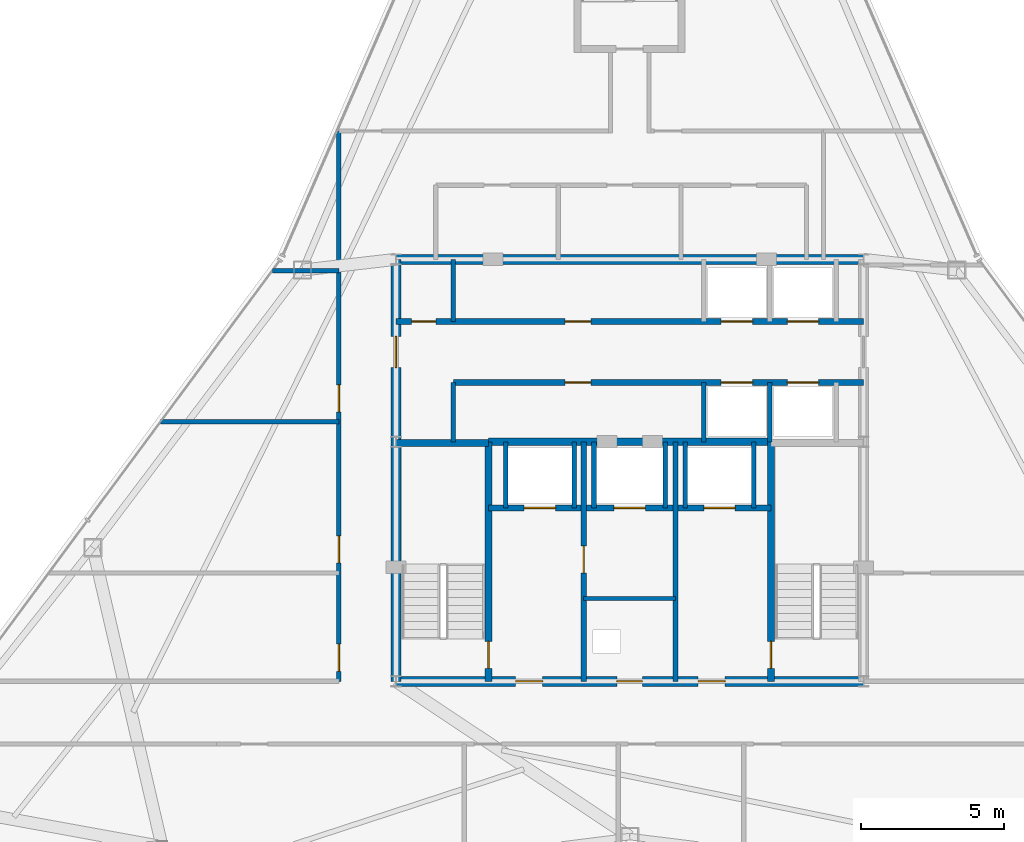
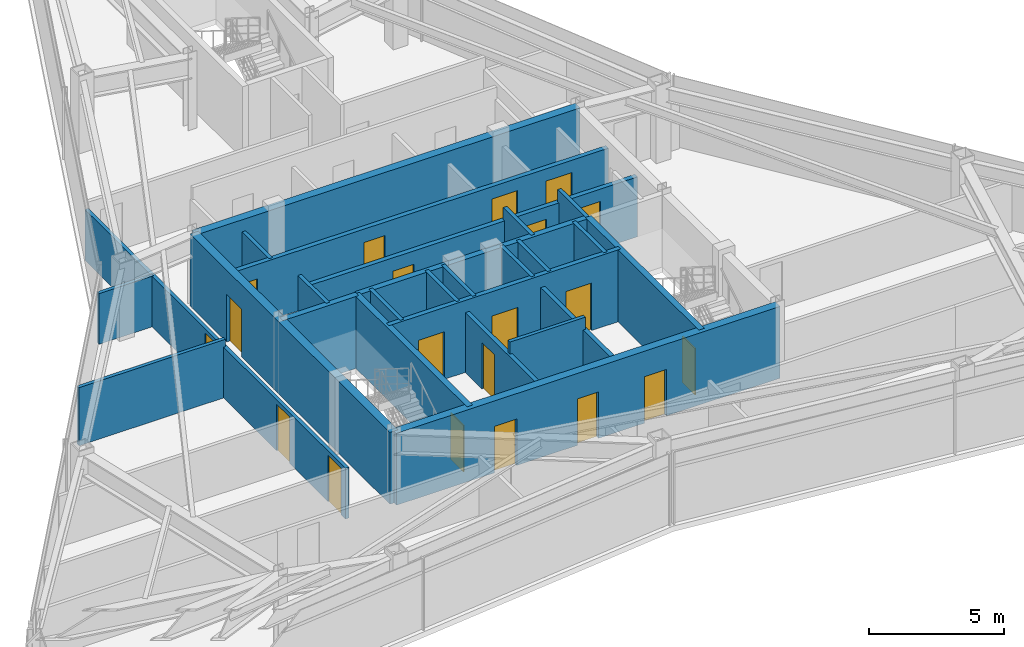
# One storey, part 9 of 11: 26 walls, 20 doors, 20 openings.
"""IFC4 building model written with IfcOpenShell, lengths in metres."""

from ifc_helpers import new_model, si_unit, direction, frame, frame_2d, origin, place, context, subcontext, project, spatial, rectangle, extrude, material, layer, layer_set, type_object, element, fill, save


model = new_model("IFC4")

# Units and contexts
model_context = context("Model", 3, precision=1e-05, world=origin(), true_north=direction((0.0, 1.0)))
body_context = subcontext(model_context, "Body", "Model", "MODEL_VIEW")
ifc_project = project(units=[si_unit("LENGTHUNIT", "METRE"), si_unit("AREAUNIT", "SQUARE_METRE"), si_unit("VOLUMEUNIT", "CUBIC_METRE"), si_unit("PLANEANGLEUNIT", "RADIAN"), si_unit("MASSUNIT", "GRAM", prefix="KILO")], contexts=[model_context])

# Site, building, storey
site_placement = place(None, origin())
site = spatial("IfcSite", under=ifc_project, at=site_placement, CompositionType="ELEMENT")
building_placement = place(site_placement, origin())
building = spatial("IfcBuilding", under=site, at=building_placement, Name="Varakhsha Concourse Tower", CompositionType="ELEMENT")
storey_placement = place(building_placement, frame((0.0, 0.0, 279.5)))
storey = spatial("IfcBuildingStorey", under=building, at=storey_placement, Name="L79", CompositionType="ELEMENT", Elevation=279.5)

# Wall, openings, doors
ifc_material_1 = material(Name="Concrete fc 65 MPa", Category="concrete")
ifc_layer_1 = layer(ifc_material_1, 0.35009765625, Name="WL-CORE-350")
ifc_layer_set_1 = layer_set([ifc_layer_1], Name="Concrete fc 65 MPa")
wall_type_1 = type_object("IfcWallType", Name="WL-CORE-350", PredefinedType="SHEAR", material=ifc_layer_set_1)
wall_1_placement = place(storey_placement, frame((31.800048828125, 16.39990234375, 0.0), z_axis=(0.0, 0.0, 1.0), x_axis=(1.0, 0.0, 0.0)))
wall_1 = element("IfcWall", 1, at=wall_1_placement, inside=storey, type_object=wall_type_1, Name="L79 Wall CWALL-S-L79", PredefinedType="SHEAR", context=body_context, shape_type="SweptSolid", body=[
    extrude(rectangle(XDim=16.39990234375, YDim=0.35009765625, at=frame_2d((8.199951171875, 0.0))), origin(), (0.0, 0.0, 1.0), 3.25),
])
opening_1_placement = place(wall_1_placement, frame((7.75, 0.0, 0.0)))
opening_1 = element("IfcOpeningElement", 2, at=opening_1_placement, cuts=wall_1, Name="Opening DF-06", PredefinedType="OPENING", context=body_context, shape_type="SweptSolid", body=[
    extrude(rectangle(XDim=0.89990234375, YDim=2.10009765625, at=frame_2d((0.449951171875, 1.050048828125))), frame((0.0, 0.18505859375, 0.0), z_axis=(0.0, -1.0, 0.0), x_axis=(1.0, 0.0, 0.0)), (0.0, 0.0, 1.0), 0.3701171875),
])
opening_2_placement = place(wall_1_placement, frame((4.199951171875, 0.0, 0.0)))
opening_2 = element("IfcOpeningElement", 3, at=opening_2_placement, cuts=wall_1, Name="Opening DF-05", PredefinedType="OPENING", context=body_context, shape_type="SweptSolid", body=[
    extrude(rectangle(XDim=0.949951171875, YDim=2.10009765625, at=frame_2d((0.47509765625, 1.050048828125))), frame((0.0, 0.18505859375, 0.0), z_axis=(0.0, -1.0, 0.0), x_axis=(1.0, 0.0, 0.0)), (0.0, 0.0, 1.0), 0.3701171875),
])
opening_3_placement = place(wall_1_placement, frame((10.60009765625, 0.0, 0.0)))
opening_3 = element("IfcOpeningElement", 4, at=opening_3_placement, cuts=wall_1, Name="Opening DF-05", PredefinedType="OPENING", context=body_context, shape_type="SweptSolid", body=[
    extrude(rectangle(XDim=0.949951171875, YDim=2.10009765625, at=frame_2d((0.47509765625, 1.050048828125))), frame((0.0, 0.18505859375, 0.0), z_axis=(0.0, -1.0, 0.0), x_axis=(1.0, 0.0, 0.0)), (0.0, 0.0, 1.0), 0.3701171875),
])
ifc_material_2 = material(Name="Hollow Galvanised Steel Fire Door Assembly", Category="steel")
door_type_1 = type_object("IfcDoorType", Name="DR-FD60-900", OperationType="NOTDEFINED", PredefinedType="DOOR", material=ifc_material_2)
door_1_placement = place(opening_1_placement, origin())
door_1 = element("IfcDoor", 5, at=door_1_placement, inside=storey, type_object=door_type_1, Name="L79 Electrical Riser Access Door", OperationType="SINGLE_SWING_LEFT", OverallHeight=2.10009765625, OverallWidth=0.89990234375, PredefinedType="DOOR", context=body_context, shape_type="SweptSolid", body=[
    extrude(rectangle(XDim=0.89990234375, YDim=2.10009765625, at=frame_2d((0.449951171875, 1.050048828125))), frame((0.0, 0.02490234375, 0.0), z_axis=(0.0, -1.0, 0.0), x_axis=(1.0, 0.0, 0.0)), (0.0, 0.0, 1.0), 0.050048828125),
])
fill(opening_1, door_1)
door_type_2 = type_object("IfcDoorType", Name="DR-FD60-950", OperationType="NOTDEFINED", PredefinedType="DOOR", material=ifc_material_2)
door_2_placement = place(opening_2_placement, origin())
door_2 = element("IfcDoor", 6, at=door_2_placement, inside=storey, type_object=door_type_2, Name="L79 Firefighting Lobby West Door", OperationType="SINGLE_SWING_RIGHT", OverallHeight=2.10009765625, OverallWidth=0.949951171875, PredefinedType="DOOR", context=body_context, shape_type="SweptSolid", body=[
    extrude(rectangle(XDim=0.949951171875, YDim=2.10009765625, at=frame_2d((0.47509765625, 1.050048828125))), frame((0.0, 0.02490234375, 0.0), z_axis=(0.0, -1.0, 0.0), x_axis=(1.0, 0.0, 0.0)), (0.0, 0.0, 1.0), 0.050048828125),
])
fill(opening_2, door_2)
door_3_placement = place(opening_3_placement, origin())
door_3 = element("IfcDoor", 7, at=door_3_placement, inside=storey, type_object=door_type_2, Name="L79 Firefighting Lobby East Door", OperationType="SINGLE_SWING_LEFT", OverallHeight=2.10009765625, OverallWidth=0.949951171875, PredefinedType="DOOR", context=body_context, shape_type="SweptSolid", body=[
    extrude(rectangle(XDim=0.949951171875, YDim=2.10009765625, at=frame_2d((0.47509765625, 1.050048828125))), frame((0.0, 0.02490234375, 0.0), z_axis=(0.0, -1.0, 0.0), x_axis=(1.0, 0.0, 0.0)), (0.0, 0.0, 1.0), 0.050048828125),
])
fill(opening_3, door_3)

# Wall
wall_2_placement = place(storey_placement, frame((31.800048828125, 31.199951171875, 0.0), z_axis=(0.0, 0.0, 1.0), x_axis=(1.0, 0.0, 0.0)))
element("IfcWall", 8, at=wall_2_placement, inside=storey, type_object=wall_type_1, Name="L79 Wall CWALL-N-L79", PredefinedType="SHEAR", context=body_context, shape_type="SweptSolid", body=[
    extrude(rectangle(XDim=16.39990234375, YDim=0.35009765625, at=frame_2d((8.199951171875, 0.0))), origin(), (0.0, 0.0, 1.0), 3.25),
])

# Wall, opening, door
wall_3_placement = place(storey_placement, frame((31.800048828125, 16.39990234375, 0.0), z_axis=(0.0, 0.0, 1.0), x_axis=(0.0, 1.0, 0.0)))
wall_3 = element("IfcWall", 9, at=wall_3_placement, inside=storey, type_object=wall_type_1, Name="L79 Wall CWALL-W-L79", PredefinedType="SHEAR", context=body_context, shape_type="SweptSolid", body=[
    extrude(rectangle(XDim=14.800048828125, YDim=0.35009765625, at=frame_2d((7.39990234375, 0.0))), origin(), (0.0, 0.0, 1.0), 3.25),
])
opening_4_placement = place(wall_3_placement, frame((11.0, 0.0, 0.0)))
opening_4 = element("IfcOpeningElement", 10, at=opening_4_placement, cuts=wall_3, Name="Opening DL-01", PredefinedType="OPENING", context=body_context, shape_type="SweptSolid", body=[
    extrude(rectangle(XDim=1.10009765625, YDim=2.14990234375, at=frame_2d((0.550048828125, 1.074951171875))), frame((0.0, 0.18505859375, 0.0), z_axis=(0.0, -1.0, 0.0), x_axis=(1.0, 0.0, 0.0)), (0.0, 0.0, 1.0), 0.3701171875),
])
ifc_material_3 = material(Name="Anodised Bronze Architectural Aluminium AA 6063-T6", Category="aluminium")
door_type_3 = type_object("IfcDoorType", Name="DR-LOB-1100", OperationType="NOTDEFINED", PredefinedType="DOOR", material=ifc_material_3)
door_4_placement = place(opening_4_placement, origin())
door_4 = element("IfcDoor", 11, at=door_4_placement, inside=storey, type_object=door_type_3, Name="L79 Lift Lobby West Concourse Door", OperationType="SINGLE_SWING_LEFT", OverallHeight=2.14990234375, OverallWidth=1.10009765625, PredefinedType="DOOR", context=body_context, shape_type="SweptSolid", body=[
    extrude(rectangle(XDim=1.10009765625, YDim=2.14990234375, at=frame_2d((0.550048828125, 1.074951171875))), frame((0.0, 0.02490234375, 0.0), z_axis=(0.0, -1.0, 0.0), x_axis=(1.0, 0.0, 0.0)), (0.0, 0.0, 1.0), 0.050048828125),
])
fill(opening_4, door_4)

ifc_material_4 = material(Name="Fire-Rated Type X Gypsum Partition Assembly", Category="gypsum")
ifc_layer_2 = layer(ifc_material_4, 0.179931640625, Name="WL-FFLOB-180")
ifc_layer_set_2 = layer_set([ifc_layer_2], Name="Fire-Rated Type X Gypsum Partition Assembly")
wall_type_2 = type_object("IfcWallType", Name="WL-FFLOB-180", PredefinedType="PARTITIONING", material=ifc_layer_set_2)
wall_4_placement = place(storey_placement, frame((38.389892578125, 16.39990234375, 0.0), z_axis=(0.0, 0.0, 1.0), x_axis=(0.0, 1.0, 0.0)))
wall_4 = element("IfcWall", 12, at=wall_4_placement, inside=storey, type_object=wall_type_2, Name="L79 Wall FFW-1E-L79", PredefinedType="PARTITIONING", context=body_context, shape_type="SweptSolid", body=[
    extrude(rectangle(XDim=8.400146484375, YDim=0.179931640625, at=frame_2d((4.2001953125, 0.0))), origin(), (0.0, 0.0, 1.0), 2.705078125),
])
opening_5_placement = place(wall_4_placement, frame((3.800048828125, 0.0, 0.0)))
opening_5 = element("IfcOpeningElement", 13, at=opening_5_placement, cuts=wall_4, Name="Opening DF-05", PredefinedType="OPENING", context=body_context, shape_type="SweptSolid", body=[
    extrude(rectangle(XDim=0.949951171875, YDim=2.10009765625, at=frame_2d((0.47509765625, 1.050048828125))), frame((0.0, 0.099853515625, 0.0), z_axis=(0.0, -1.0, 0.0), x_axis=(1.0, 0.0, 0.0)), (0.0, 0.0, 1.0), 0.199951171875),
])
door_5_placement = place(opening_5_placement, origin())
door_5 = element("IfcDoor", 14, at=door_5_placement, inside=storey, type_object=door_type_2, Name="L79 Service Vestibule Door", OperationType="SINGLE_SWING_RIGHT", OverallHeight=2.10009765625, OverallWidth=0.949951171875, PredefinedType="DOOR", context=body_context, shape_type="SweptSolid", body=[
    extrude(rectangle(XDim=0.949951171875, YDim=2.10009765625, at=frame_2d((0.47509765625, 1.050048828125))), frame((0.0, 0.02490234375, 0.0), z_axis=(0.0, -1.0, 0.0), x_axis=(1.0, 0.0, 0.0)), (0.0, 0.0, 1.0), 0.050048828125),
])
fill(opening_5, door_5)

# Walls
wall_5_placement = place(storey_placement, frame((41.610107421875, 16.39990234375, 0.0), z_axis=(0.0, 0.0, 1.0), x_axis=(0.0, 1.0, 0.0)))
element("IfcWall", 15, at=wall_5_placement, inside=storey, type_object=wall_type_2, Name="L79 Wall FFW-2W-L79", PredefinedType="PARTITIONING", context=body_context, shape_type="SweptSolid", body=[
    extrude(rectangle(XDim=8.400146484375, YDim=0.179931640625, at=frame_2d((4.2001953125, 0.0))), origin(), (0.0, 0.0, 1.0), 2.705078125),
])
ifc_layer_3 = layer(ifc_material_4, 0.14990234375, Name="WL-PART-150")
ifc_layer_set_3 = layer_set([ifc_layer_3], Name="Fire-Rated Type X Gypsum Partition Assembly")
wall_type_3 = type_object("IfcWallType", Name="WL-PART-150", PredefinedType="PARTITIONING", material=ifc_layer_set_3)
wall_6_placement = place(storey_placement, frame((38.389892578125, 19.300048828125, 0.0), z_axis=(0.0, 0.0, 1.0), x_axis=(1.0, 0.0, 0.0)))
element("IfcWall", 16, at=wall_6_placement, inside=storey, type_object=wall_type_3, Name="L79 Wall RSW-H-L79", PredefinedType="PARTITIONING", context=body_context, shape_type="SweptSolid", body=[
    extrude(rectangle(XDim=3.22021484375, YDim=0.14990234375, at=frame_2d((1.610107421875, 0.0))), origin(), (0.0, 0.0, 1.0), 3.25),
])

# Wall, openings, doors
wall_7_placement = place(storey_placement, frame((29.800048828125, 16.39990234375, 0.0), z_axis=(0.0, 0.0, 1.0), x_axis=(0.0, 1.0, 0.0)))
wall_7 = element("IfcWall", 17, at=wall_7_placement, inside=storey, type_object=wall_type_3, Name="L79 Wall CRW-W-L79", PredefinedType="PARTITIONING", context=body_context, shape_type="SweptSolid", body=[
    extrude(rectangle(XDim=19.300048828125, YDim=0.14990234375, at=frame_2d((9.64990234375, 0.0))), origin(), (0.0, 0.0, 1.0), 2.2919921875),
])
opening_6_placement = place(wall_7_placement, frame((0.35009765625, 0.0, 0.0)))
opening_6 = element("IfcOpeningElement", 18, at=opening_6_placement, cuts=wall_7, Name="Opening DF-05", PredefinedType="OPENING", context=body_context, shape_type="SweptSolid", body=[
    extrude(rectangle(XDim=0.949951171875, YDim=2.10009765625, at=frame_2d((0.47509765625, 1.050048828125))), frame((0.0, 0.0849609375, 0.0), z_axis=(0.0, -1.0, 0.0), x_axis=(1.0, 0.0, 0.0)), (0.0, 0.0, 1.0), 0.169921875),
])
opening_7_placement = place(wall_7_placement, frame((4.14990234375, 0.0, 0.0)))
opening_7 = element("IfcOpeningElement", 19, at=opening_7_placement, cuts=wall_7, Name="Opening DF-05", PredefinedType="OPENING", context=body_context, shape_type="SweptSolid", body=[
    extrude(rectangle(XDim=0.949951171875, YDim=2.10009765625, at=frame_2d((0.47509765625, 1.050048828125))), frame((0.0, 0.0849609375, 0.0), z_axis=(0.0, -1.0, 0.0), x_axis=(1.0, 0.0, 0.0)), (0.0, 0.0, 1.0), 0.169921875),
])
opening_8_placement = place(wall_7_placement, frame((9.449951171875, 0.0, 0.0)))
opening_8 = element("IfcOpeningElement", 20, at=opening_8_placement, cuts=wall_7, Name="Opening DF-05", PredefinedType="OPENING", context=body_context, shape_type="SweptSolid", body=[
    extrude(rectangle(XDim=0.949951171875, YDim=2.10009765625, at=frame_2d((0.47509765625, 1.050048828125))), frame((0.0, 0.0849609375, 0.0), z_axis=(0.0, -1.0, 0.0), x_axis=(1.0, 0.0, 0.0)), (0.0, 0.0, 1.0), 0.169921875),
])
door_6_placement = place(opening_6_placement, origin())
door_6 = element("IfcDoor", 21, at=door_6_placement, inside=storey, type_object=door_type_2, Name="L79 Diplomatic Reception Gallery L79 Door", OperationType="SINGLE_SWING_LEFT", OverallHeight=2.10009765625, OverallWidth=0.949951171875, PredefinedType="DOOR", context=body_context, shape_type="SweptSolid", body=[
    extrude(rectangle(XDim=0.949951171875, YDim=2.10009765625, at=frame_2d((0.47509765625, 1.050048828125))), frame((0.0, 0.02490234375, 0.0), z_axis=(0.0, -1.0, 0.0), x_axis=(1.0, 0.0, 0.0)), (0.0, 0.0, 1.0), 0.050048828125),
])
fill(opening_6, door_6)
door_7_placement = place(opening_7_placement, origin())
door_7 = element("IfcDoor", 22, at=door_7_placement, inside=storey, type_object=door_type_2, Name="L79 Executive Director Suite L79-W2 Door", OperationType="SINGLE_SWING_RIGHT", OverallHeight=2.10009765625, OverallWidth=0.949951171875, PredefinedType="DOOR", context=body_context, shape_type="SweptSolid", body=[
    extrude(rectangle(XDim=0.949951171875, YDim=2.10009765625, at=frame_2d((0.47509765625, 1.050048828125))), frame((0.0, 0.02490234375, 0.0), z_axis=(0.0, -1.0, 0.0), x_axis=(1.0, 0.0, 0.0)), (0.0, 0.0, 1.0), 0.050048828125),
])
fill(opening_7, door_7)
door_8_placement = place(opening_8_placement, origin())
door_8 = element("IfcDoor", 23, at=door_8_placement, inside=storey, type_object=door_type_2, Name="L79 Executive Director Suite L79-W3 Door", OperationType="SINGLE_SWING_LEFT", OverallHeight=2.10009765625, OverallWidth=0.949951171875, PredefinedType="DOOR", context=body_context, shape_type="SweptSolid", body=[
    extrude(rectangle(XDim=0.949951171875, YDim=2.10009765625, at=frame_2d((0.47509765625, 1.050048828125))), frame((0.0, 0.02490234375, 0.0), z_axis=(0.0, -1.0, 0.0), x_axis=(1.0, 0.0, 0.0)), (0.0, 0.0, 1.0), 0.050048828125),
])
fill(opening_8, door_8)

# Walls
wall_8_placement = place(storey_placement, frame((23.546630859375, 25.5, 0.0), z_axis=(0.0, 0.0, 1.0), x_axis=(1.0, 0.0, 0.0)))
element("IfcWall", 24, at=wall_8_placement, inside=storey, type_object=wall_type_3, Name="L79 Wall ODIV-W2-L79", PredefinedType="PARTITIONING", context=body_context, shape_type="SweptSolid", body=[
    extrude(rectangle(XDim=6.25341796875, YDim=0.14990234375, at=frame_2d((3.126708984375, 0.0))), origin(), (0.0, 0.0, 1.0), 2.6279296875),
])
wall_9_placement = place(storey_placement, frame((27.465576171875, 30.800048828125, 0.0), z_axis=(0.0, 0.0, 1.0), x_axis=(1.0, 0.0, 0.0)))
element("IfcWall", 25, at=wall_9_placement, inside=storey, type_object=wall_type_3, Name="L79 Wall ODIV-W3-L79", PredefinedType="PARTITIONING", context=body_context, shape_type="SweptSolid", body=[
    extrude(rectangle(XDim=2.33447265625, YDim=0.14990234375, at=frame_2d((1.167236328125, 0.0))), origin(), (0.0, 0.0, 1.0), 2.2919921875),
])

# Wall, openings, doors
ifc_layer_4 = layer(ifc_material_4, 0.199951171875, Name="WL-SHAFT-220")
ifc_layer_set_4 = layer_set([ifc_layer_4], Name="Fire-Rated Type X Gypsum Partition Assembly")
wall_type_4 = type_object("IfcWallType", Name="WL-SHAFT-220", PredefinedType="SOLIDWALL", material=ifc_layer_set_4)
wall_10_placement = place(storey_placement, frame((35.044921875, 22.47998046875, 0.0), z_axis=(0.0, 0.0, 1.0), x_axis=(1.0, 0.0, 0.0)))
wall_10 = element("IfcWall", 26, at=wall_10_placement, inside=storey, type_object=wall_type_4, Name="L79 Wall FFW-NH-L79", PredefinedType="SOLIDWALL", context=body_context, shape_type="SweptSolid", body=[
    extrude(rectangle(XDim=9.91015625, YDim=0.199951171875, at=frame_2d((4.955078125, 0.0))), origin(), (0.0, 0.0, 1.0), 3.25),
])
opening_9_placement = place(wall_10_placement, frame((1.2548828125, 0.0, 0.0)))
opening_9 = element("IfcOpeningElement", 27, at=opening_9_placement, cuts=wall_10, Name="Opening LD-FFL-1", PredefinedType="OPENING", context=body_context, shape_type="SweptSolid", body=[
    extrude(rectangle(XDim=1.10009765625, YDim=2.14990234375, at=frame_2d((0.550048828125, 1.074951171875))), frame((0.0, 0.10986328125, 0.0), z_axis=(0.0, -1.0, 0.0), x_axis=(1.0, 0.0, 0.0)), (0.0, 0.0, 1.0), 0.219970703125),
])
opening_10_placement = place(wall_10_placement, frame((7.554931640625, 0.0, 0.0)))
opening_10 = element("IfcOpeningElement", 28, at=opening_10_placement, cuts=wall_10, Name="Opening LD-FFL-2", PredefinedType="OPENING", context=body_context, shape_type="SweptSolid", body=[
    extrude(rectangle(XDim=1.10009765625, YDim=2.14990234375, at=frame_2d((0.550048828125, 1.074951171875))), frame((0.0, 0.10986328125, 0.0), z_axis=(0.0, -1.0, 0.0), x_axis=(1.0, 0.0, 0.0)), (0.0, 0.0, 1.0), 0.219970703125),
])
opening_11_placement = place(wall_10_placement, frame((4.405029296875, 0.0, 0.0)))
opening_11 = element("IfcOpeningElement", 29, at=opening_11_placement, cuts=wall_10, Name="Opening LD-SVL-1", PredefinedType="OPENING", context=body_context, shape_type="SweptSolid", body=[
    extrude(rectangle(XDim=1.10009765625, YDim=2.14990234375, at=frame_2d((0.550048828125, 1.074951171875))), frame((0.0, 0.10986328125, 0.0), z_axis=(0.0, -1.0, 0.0), x_axis=(1.0, 0.0, 0.0)), (0.0, 0.0, 1.0), 0.219970703125),
])
ifc_material_5 = material(Name="Brushed Austenitic Stainless Steel AISI 316", Category="steel")
door_type_4 = type_object("IfcDoorType", Name="DR-LD-1100", OperationType="DOUBLE_DOOR_SLIDING", PredefinedType="DOOR", material=ifc_material_5)
door_9_placement = place(opening_9_placement, origin())
door_9 = element("IfcDoor", 30, at=door_9_placement, inside=storey, type_object=door_type_4, Name="Lift Landing Door FFL-1 L79", OperationType="DOUBLE_DOOR_SLIDING", OverallHeight=2.14990234375, OverallWidth=1.10009765625, PredefinedType="DOOR", context=body_context, shape_type="SweptSolid", body=[
    extrude(rectangle(XDim=1.10009765625, YDim=2.14990234375, at=frame_2d((0.550048828125, 1.074951171875))), frame((0.0, 0.02490234375, 0.0), z_axis=(0.0, -1.0, 0.0), x_axis=(1.0, 0.0, 0.0)), (0.0, 0.0, 1.0), 0.050048828125),
])
fill(opening_9, door_9)
door_10_placement = place(opening_10_placement, origin())
door_10 = element("IfcDoor", 31, at=door_10_placement, inside=storey, type_object=door_type_4, Name="Lift Landing Door FFL-2 L79", OperationType="DOUBLE_DOOR_SLIDING", OverallHeight=2.14990234375, OverallWidth=1.10009765625, PredefinedType="DOOR", context=body_context, shape_type="SweptSolid", body=[
    extrude(rectangle(XDim=1.10009765625, YDim=2.14990234375, at=frame_2d((0.550048828125, 1.074951171875))), frame((0.0, 0.02490234375, 0.0), z_axis=(0.0, -1.0, 0.0), x_axis=(1.0, 0.0, 0.0)), (0.0, 0.0, 1.0), 0.050048828125),
])
fill(opening_10, door_10)
door_11_placement = place(opening_11_placement, origin())
door_11 = element("IfcDoor", 32, at=door_11_placement, inside=storey, type_object=door_type_4, Name="Lift Landing Door SVL-1 L79", OperationType="DOUBLE_DOOR_SLIDING", OverallHeight=2.14990234375, OverallWidth=1.10009765625, PredefinedType="DOOR", context=body_context, shape_type="SweptSolid", body=[
    extrude(rectangle(XDim=1.10009765625, YDim=2.14990234375, at=frame_2d((0.550048828125, 1.074951171875))), frame((0.0, 0.02490234375, 0.0), z_axis=(0.0, -1.0, 0.0), x_axis=(1.0, 0.0, 0.0)), (0.0, 0.0, 1.0), 0.050048828125),
])
fill(opening_11, door_11)

# Walls
for number, where, z_axis, x_axis, name in (
    (33, (35.64990234375, 22.47998046875, 0.0), (0.0, 0.0, 1.0), (0.0, 1.0, 0.0), "L79 Wall SHW-FFL-1-W-L79"),
    (34, (38.050048828125, 22.47998046875, 0.0), (0.0, 0.0, 1.0), (0.0, 1.0, 0.0), "L79 Wall SHW-FFL-1-E-L79"),
    (35, (41.949951171875, 22.47998046875, 0.0), (0.0, 0.0, 1.0), (0.0, 1.0, 0.0), "L79 Wall SHW-FFL-2-W-L79"),
    (36, (44.35009765625, 22.47998046875, 0.0), (0.0, 0.0, 1.0), (0.0, 1.0, 0.0), "L79 Wall SHW-FFL-2-E-L79"),
    (37, (38.75, 22.47998046875, 0.0), (0.0, 0.0, 1.0), (0.0, 1.0, 0.0), "L79 Wall SHW-SVL-1-W-L79"),
    (38, (41.25, 22.47998046875, 0.0), (0.0, 0.0, 1.0), (0.0, 1.0, 0.0), "L79 Wall SHW-SVL-1-E-L79"),
):
    element("IfcWall", number, at=place(storey_placement, frame(where, z_axis=z_axis, x_axis=x_axis)), inside=storey, type_object=wall_type_4, Name=name, PredefinedType="SOLIDWALL", context=body_context, shape_type="SweptSolid", body=[
        extrude(rectangle(XDim=2.320068359375, YDim=0.159912109375, at=frame_2d((1.16015625, 0.0))), origin(), (0.0, 0.0, 1.0), 3.25),
    ])

# Wall, openings, doors
wall_11_placement = place(storey_placement, frame((31.800048828125, 29.02001953125, 0.0), z_axis=(0.0, 0.0, 1.0), x_axis=(1.0, 0.0, 0.0)))
wall_11 = element("IfcWall", 39, at=wall_11_placement, inside=storey, type_object=wall_type_4, Name="L79 Wall PLW-N-L79", PredefinedType="SOLIDWALL", context=body_context, shape_type="SweptSolid", body=[
    extrude(rectangle(XDim=16.39990234375, YDim=0.199951171875, at=frame_2d((8.199951171875, 0.0))), origin(), (0.0, 0.0, 1.0), 2.705078125),
])
opening_12_placement = place(wall_11_placement, frame((0.550048828125, 0.0, 0.0)))
opening_12 = element("IfcOpeningElement", 40, at=opening_12_placement, cuts=wall_11, Name="Opening DF-07", PredefinedType="OPENING", context=body_context, shape_type="SweptSolid", body=[
    extrude(rectangle(XDim=0.85009765625, YDim=2.050048828125, at=frame_2d((0.425048828125, 1.02490234375))), frame((0.0, 0.10986328125, 0.0), z_axis=(0.0, -1.0, 0.0), x_axis=(1.0, 0.0, 0.0)), (0.0, 0.0, 1.0), 0.219970703125),
])
opening_13_placement = place(wall_11_placement, frame((5.93994140625, 0.0, 0.0)))
opening_13 = element("IfcOpeningElement", 41, at=opening_13_placement, cuts=wall_11, Name="Opening DF-06", PredefinedType="OPENING", context=body_context, shape_type="SweptSolid", body=[
    extrude(rectangle(XDim=0.89990234375, YDim=2.10009765625, at=frame_2d((0.449951171875, 1.050048828125))), frame((0.0, 0.10986328125, 0.0), z_axis=(0.0, -1.0, 0.0), x_axis=(1.0, 0.0, 0.0)), (0.0, 0.0, 1.0), 0.219970703125),
])
opening_14_placement = place(wall_11_placement, frame((11.409912109375, 0.0, 0.0)))
opening_14 = element("IfcOpeningElement", 42, at=opening_14_placement, cuts=wall_11, Name="Opening LD-LF-P09", PredefinedType="OPENING", context=body_context, shape_type="SweptSolid", body=[
    extrude(rectangle(XDim=1.10009765625, YDim=2.14990234375, at=frame_2d((0.550048828125, 1.074951171875))), frame((0.0, 0.10986328125, 0.0), z_axis=(0.0, -1.0, 0.0), x_axis=(1.0, 0.0, 0.0)), (0.0, 0.0, 1.0), 0.219970703125),
])
opening_15_placement = place(wall_11_placement, frame((13.72998046875, 0.0, 0.0)))
opening_15 = element("IfcOpeningElement", 43, at=opening_15_placement, cuts=wall_11, Name="Opening LD-LF-P10", PredefinedType="OPENING", context=body_context, shape_type="SweptSolid", body=[
    extrude(rectangle(XDim=1.10009765625, YDim=2.14990234375, at=frame_2d((0.550048828125, 1.074951171875))), frame((0.0, 0.10986328125, 0.0), z_axis=(0.0, -1.0, 0.0), x_axis=(1.0, 0.0, 0.0)), (0.0, 0.0, 1.0), 0.219970703125),
])
door_type_5 = type_object("IfcDoorType", Name="DR-FD60-850", OperationType="NOTDEFINED", PredefinedType="DOOR", material=ifc_material_2)
door_12_placement = place(opening_12_placement, origin())
door_12 = element("IfcDoor", 44, at=door_12_placement, inside=storey, type_object=door_type_5, Name="L79 Core Janitor Closet Door", OperationType="SINGLE_SWING_LEFT", OverallHeight=2.050048828125, OverallWidth=0.85009765625, PredefinedType="DOOR", context=body_context, shape_type="SweptSolid", body=[
    extrude(rectangle(XDim=0.85009765625, YDim=2.050048828125, at=frame_2d((0.425048828125, 1.02490234375))), frame((0.0, 0.02490234375, 0.0), z_axis=(0.0, -1.0, 0.0), x_axis=(1.0, 0.0, 0.0)), (0.0, 0.0, 1.0), 0.050048828125),
])
fill(opening_12, door_12)
door_13_placement = place(opening_13_placement, origin())
door_13 = element("IfcDoor", 45, at=door_13_placement, inside=storey, type_object=door_type_1, Name="L79 Tenant Archive and IT Server Room Door", OperationType="SINGLE_SWING_LEFT", OverallHeight=2.10009765625, OverallWidth=0.89990234375, PredefinedType="DOOR", context=body_context, shape_type="SweptSolid", body=[
    extrude(rectangle(XDim=0.89990234375, YDim=2.10009765625, at=frame_2d((0.449951171875, 1.050048828125))), frame((0.0, 0.02490234375, 0.0), z_axis=(0.0, -1.0, 0.0), x_axis=(1.0, 0.0, 0.0)), (0.0, 0.0, 1.0), 0.050048828125),
])
fill(opening_13, door_13)
door_14_placement = place(opening_14_placement, origin())
door_14 = element("IfcDoor", 46, at=door_14_placement, inside=storey, type_object=door_type_4, Name="Lift Landing Door LF-P09 L79", OperationType="DOUBLE_DOOR_SLIDING", OverallHeight=2.14990234375, OverallWidth=1.10009765625, PredefinedType="DOOR", context=body_context, shape_type="SweptSolid", body=[
    extrude(rectangle(XDim=1.10009765625, YDim=2.14990234375, at=frame_2d((0.550048828125, 1.074951171875))), frame((0.0, 0.02490234375, 0.0), z_axis=(0.0, -1.0, 0.0), x_axis=(1.0, 0.0, 0.0)), (0.0, 0.0, 1.0), 0.050048828125),
])
fill(opening_14, door_14)
door_15_placement = place(opening_15_placement, origin())
door_15 = element("IfcDoor", 47, at=door_15_placement, inside=storey, type_object=door_type_4, Name="Lift Landing Door LF-P10 L79", OperationType="DOUBLE_DOOR_SLIDING", OverallHeight=2.14990234375, OverallWidth=1.10009765625, PredefinedType="DOOR", context=body_context, shape_type="SweptSolid", body=[
    extrude(rectangle(XDim=1.10009765625, YDim=2.14990234375, at=frame_2d((0.550048828125, 1.074951171875))), frame((0.0, 0.02490234375, 0.0), z_axis=(0.0, -1.0, 0.0), x_axis=(1.0, 0.0, 0.0)), (0.0, 0.0, 1.0), 0.050048828125),
])
fill(opening_15, door_15)

wall_12_placement = place(storey_placement, frame((33.820068359375, 26.8798828125, 0.0), z_axis=(0.0, 0.0, 1.0), x_axis=(1.0, 0.0, 0.0)))
wall_12 = element("IfcWall", 48, at=wall_12_placement, inside=storey, type_object=wall_type_4, Name="L79 Wall PLW-S-L79", PredefinedType="SOLIDWALL", context=body_context, shape_type="SweptSolid", body=[
    extrude(rectangle(XDim=14.3798828125, YDim=0.199951171875, at=frame_2d((7.18994140625, 0.0))), origin(), (0.0, 0.0, 1.0), 2.705078125),
])
opening_16_placement = place(wall_12_placement, frame((3.919921875, 0.0, 0.0)))
opening_16 = element("IfcOpeningElement", 49, at=opening_16_placement, cuts=wall_12, Name="Opening DF-06", PredefinedType="OPENING", context=body_context, shape_type="SweptSolid", body=[
    extrude(rectangle(XDim=0.89990234375, YDim=2.10009765625, at=frame_2d((0.449951171875, 1.050048828125))), frame((0.0, 0.10986328125, 0.0), z_axis=(0.0, -1.0, 0.0), x_axis=(1.0, 0.0, 0.0)), (0.0, 0.0, 1.0), 0.219970703125),
])
opening_17_placement = place(wall_12_placement, frame((9.389892578125, 0.0, 0.0)))
opening_17 = element("IfcOpeningElement", 50, at=opening_17_placement, cuts=wall_12, Name="Opening LD-LF-P11", PredefinedType="OPENING", context=body_context, shape_type="SweptSolid", body=[
    extrude(rectangle(XDim=1.10009765625, YDim=2.14990234375, at=frame_2d((0.550048828125, 1.074951171875))), frame((0.0, 0.10986328125, 0.0), z_axis=(0.0, -1.0, 0.0), x_axis=(1.0, 0.0, 0.0)), (0.0, 0.0, 1.0), 0.219970703125),
])
opening_18_placement = place(wall_12_placement, frame((11.7099609375, 0.0, 0.0)))
opening_18 = element("IfcOpeningElement", 51, at=opening_18_placement, cuts=wall_12, Name="Opening LD-LF-P12", PredefinedType="OPENING", context=body_context, shape_type="SweptSolid", body=[
    extrude(rectangle(XDim=1.10009765625, YDim=2.14990234375, at=frame_2d((0.550048828125, 1.074951171875))), frame((0.0, 0.10986328125, 0.0), z_axis=(0.0, -1.0, 0.0), x_axis=(1.0, 0.0, 0.0)), (0.0, 0.0, 1.0), 0.219970703125),
])
door_16_placement = place(opening_16_placement, origin())
door_16 = element("IfcDoor", 52, at=door_16_placement, inside=storey, type_object=door_type_1, Name="L79 Executive Pantry and Copy Suite Door", OperationType="SINGLE_SWING_RIGHT", OverallHeight=2.10009765625, OverallWidth=0.89990234375, PredefinedType="DOOR", context=body_context, shape_type="SweptSolid", body=[
    extrude(rectangle(XDim=0.89990234375, YDim=2.10009765625, at=frame_2d((0.449951171875, 1.050048828125))), frame((0.0, 0.02490234375, 0.0), z_axis=(0.0, -1.0, 0.0), x_axis=(1.0, 0.0, 0.0)), (0.0, 0.0, 1.0), 0.050048828125),
])
fill(opening_16, door_16)
door_17_placement = place(opening_17_placement, origin())
door_17 = element("IfcDoor", 53, at=door_17_placement, inside=storey, type_object=door_type_4, Name="Lift Landing Door LF-P11 L79", OperationType="DOUBLE_DOOR_SLIDING", OverallHeight=2.14990234375, OverallWidth=1.10009765625, PredefinedType="DOOR", context=body_context, shape_type="SweptSolid", body=[
    extrude(rectangle(XDim=1.10009765625, YDim=2.14990234375, at=frame_2d((0.550048828125, 1.074951171875))), frame((0.0, 0.02490234375, 0.0), z_axis=(0.0, -1.0, 0.0), x_axis=(1.0, 0.0, 0.0)), (0.0, 0.0, 1.0), 0.050048828125),
])
fill(opening_17, door_17)
door_18_placement = place(opening_18_placement, origin())
door_18 = element("IfcDoor", 54, at=door_18_placement, inside=storey, type_object=door_type_4, Name="Lift Landing Door LF-P12 L79", OperationType="DOUBLE_DOOR_SLIDING", OverallHeight=2.14990234375, OverallWidth=1.10009765625, PredefinedType="DOOR", context=body_context, shape_type="SweptSolid", body=[
    extrude(rectangle(XDim=1.10009765625, YDim=2.14990234375, at=frame_2d((0.550048828125, 1.074951171875))), frame((0.0, 0.02490234375, 0.0), z_axis=(0.0, -1.0, 0.0), x_axis=(1.0, 0.0, 0.0)), (0.0, 0.0, 1.0), 0.050048828125),
])
fill(opening_18, door_18)

# Walls
wall_13_placement = place(storey_placement, frame((33.820068359375, 29.02001953125, 0.0), z_axis=(0.0, 0.0, 1.0), x_axis=(0.0, 1.0, 0.0)))
element("IfcWall", 55, at=wall_13_placement, inside=storey, type_object=wall_type_4, Name="L79 Wall WBOH-E1-L79", PredefinedType="SOLIDWALL", context=body_context, shape_type="SweptSolid", body=[
    extrude(rectangle(XDim=2.179931640625, YDim=0.159912109375, at=frame_2d((1.08984375, 0.0))), origin(), (0.0, 0.0, 1.0), 2.705078125),
])
for number, where, z_axis, x_axis, name in (
    (56, (33.820068359375, 24.800048828125, 0.0), (0.0, 0.0, 1.0), (0.0, 1.0, 0.0), "L79 Wall WBOH-E2-L79"),
    (57, (42.60009765625, 24.800048828125, 0.0), (0.0, 0.0, 1.0), (0.0, 1.0, 0.0), "L79 Wall SHW-LF-P11-W-L79"),
    (58, (44.919921875, 24.800048828125, 0.0), (0.0, 0.0, 1.0), (0.0, 1.0, 0.0), "L79 Wall SHW-LF-P11-E-L79"),
):
    element("IfcWall", number, at=place(storey_placement, frame(where, z_axis=z_axis, x_axis=x_axis)), inside=storey, type_object=wall_type_4, Name=name, PredefinedType="SOLIDWALL", context=body_context, shape_type="SweptSolid", body=[
        extrude(rectangle(XDim=2.079833984375, YDim=0.159912109375, at=frame_2d((1.0400390625, 0.0))), origin(), (0.0, 0.0, 1.0), 3.25),
    ])

# Wall, opening, door
ifc_material_6 = material(Name="Concrete fc 45 MPa", Category="concrete")
ifc_layer_5 = layer(ifc_material_6, 0.25, Name="WL-STAIR-250")
ifc_layer_set_5 = layer_set([ifc_layer_5], Name="Concrete fc 45 MPa")
wall_type_5 = type_object("IfcWallType", Name="WL-STAIR-250", PredefinedType="SHEAR", material=ifc_layer_set_5)
wall_14_placement = place(storey_placement, frame((35.044921875, 16.39990234375, 0.0), z_axis=(0.0, 0.0, 1.0), x_axis=(0.0, 1.0, 0.0)))
wall_14 = element("IfcWall", 59, at=wall_14_placement, inside=storey, type_object=wall_type_5, Name="L79 Wall SWALL-ST1-E-L79", PredefinedType="SHEAR", context=body_context, shape_type="SweptSolid", body=[
    extrude(rectangle(XDim=8.400146484375, YDim=0.25, at=frame_2d((4.2001953125, 0.0))), origin(), (0.0, 0.0, 1.0), 3.25),
])
opening_19_placement = place(wall_14_placement, frame((0.449951171875, 0.0, 0.0)))
opening_19 = element("IfcOpeningElement", 60, at=opening_19_placement, cuts=wall_14, Name="Opening DF-03", PredefinedType="OPENING", context=body_context, shape_type="SweptSolid", body=[
    extrude(rectangle(XDim=0.949951171875, YDim=2.10009765625, at=frame_2d((0.47509765625, 1.050048828125))), frame((0.0, 0.135009765625, 0.0), z_axis=(0.0, -1.0, 0.0), x_axis=(1.0, 0.0, 0.0)), (0.0, 0.0, 1.0), 0.27001953125),
])
door_type_6 = type_object("IfcDoorType", Name="DR-FD90-950", OperationType="NOTDEFINED", PredefinedType="DOOR", material=ifc_material_2)
door_19_placement = place(opening_19_placement, origin())
door_19 = element("IfcDoor", 61, at=door_19_placement, inside=storey, type_object=door_type_6, Name="L79 Stair ST1 Fire Door", OperationType="SINGLE_SWING_LEFT", OverallHeight=2.10009765625, OverallWidth=0.949951171875, PredefinedType="DOOR", context=body_context, shape_type="SweptSolid", body=[
    extrude(rectangle(XDim=0.949951171875, YDim=2.10009765625, at=frame_2d((0.47509765625, 1.050048828125))), frame((0.0, 0.02490234375, 0.0), z_axis=(0.0, -1.0, 0.0), x_axis=(1.0, 0.0, 0.0)), (0.0, 0.0, 1.0), 0.050048828125),
])
fill(opening_19, door_19)

# Wall
wall_15_placement = place(storey_placement, frame((31.800048828125, 24.7548828125, 0.0), z_axis=(0.0, 0.0, 1.0), x_axis=(1.0, 0.0, 0.0)))
element("IfcWall", 62, at=wall_15_placement, inside=storey, type_object=wall_type_5, Name="L79 Wall SWALL-ST1-N-L79", PredefinedType="SHEAR", context=body_context, shape_type="SweptSolid", body=[
    extrude(rectangle(XDim=3.244873046875, YDim=0.25, at=frame_2d((1.62255859375, 0.0))), origin(), (0.0, 0.0, 1.0), 3.25),
])

# Wall, opening, door
wall_16_placement = place(storey_placement, frame((44.955078125, 16.39990234375, 0.0), z_axis=(0.0, 0.0, 1.0), x_axis=(0.0, 1.0, 0.0)))
wall_16 = element("IfcWall", 63, at=wall_16_placement, inside=storey, type_object=wall_type_5, Name="L79 Wall SWALL-ST2-W-L79", PredefinedType="SHEAR", context=body_context, shape_type="SweptSolid", body=[
    extrude(rectangle(XDim=8.400146484375, YDim=0.25, at=frame_2d((4.2001953125, 0.0))), origin(), (0.0, 0.0, 1.0), 3.25),
])
opening_20_placement = place(wall_16_placement, frame((0.449951171875, 0.0, 0.0)))
opening_20 = element("IfcOpeningElement", 64, at=opening_20_placement, cuts=wall_16, Name="Opening DF-03", PredefinedType="OPENING", context=body_context, shape_type="SweptSolid", body=[
    extrude(rectangle(XDim=0.949951171875, YDim=2.10009765625, at=frame_2d((0.47509765625, 1.050048828125))), frame((0.0, 0.135009765625, 0.0), z_axis=(0.0, -1.0, 0.0), x_axis=(1.0, 0.0, 0.0)), (0.0, 0.0, 1.0), 0.27001953125),
])
door_20_placement = place(opening_20_placement, origin())
door_20 = element("IfcDoor", 65, at=door_20_placement, inside=storey, type_object=door_type_6, Name="L79 Stair ST2 Fire Door", OperationType="SINGLE_SWING_RIGHT", OverallHeight=2.10009765625, OverallWidth=0.949951171875, PredefinedType="DOOR", context=body_context, shape_type="SweptSolid", body=[
    extrude(rectangle(XDim=0.949951171875, YDim=2.10009765625, at=frame_2d((0.47509765625, 1.050048828125))), frame((0.0, 0.02490234375, 0.0), z_axis=(0.0, -1.0, 0.0), x_axis=(1.0, 0.0, 0.0)), (0.0, 0.0, 1.0), 0.050048828125),
])
fill(opening_20, door_20)

# Wall
wall_17_placement = place(storey_placement, frame((35.044921875, 24.800048828125, 0.0), z_axis=(0.0, 0.0, 1.0), x_axis=(1.0, 0.0, 0.0)))
element("IfcWall", 66, at=wall_17_placement, inside=storey, type_object=wall_type_5, Name="L79 Wall SWALL-MID-H-L79", PredefinedType="SHEAR", context=body_context, shape_type="SweptSolid", body=[
    extrude(rectangle(XDim=9.91015625, YDim=0.25, at=frame_2d((4.955078125, 0.0))), origin(), (0.0, 0.0, 1.0), 3.25),
])

save(model, "model.ifc")
